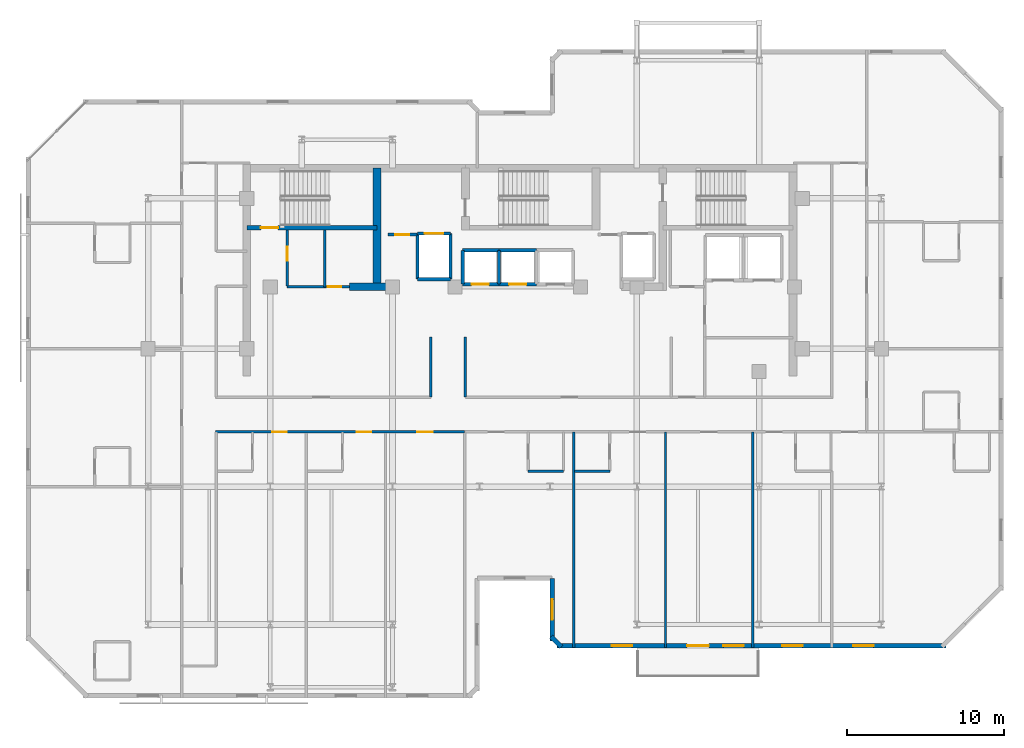
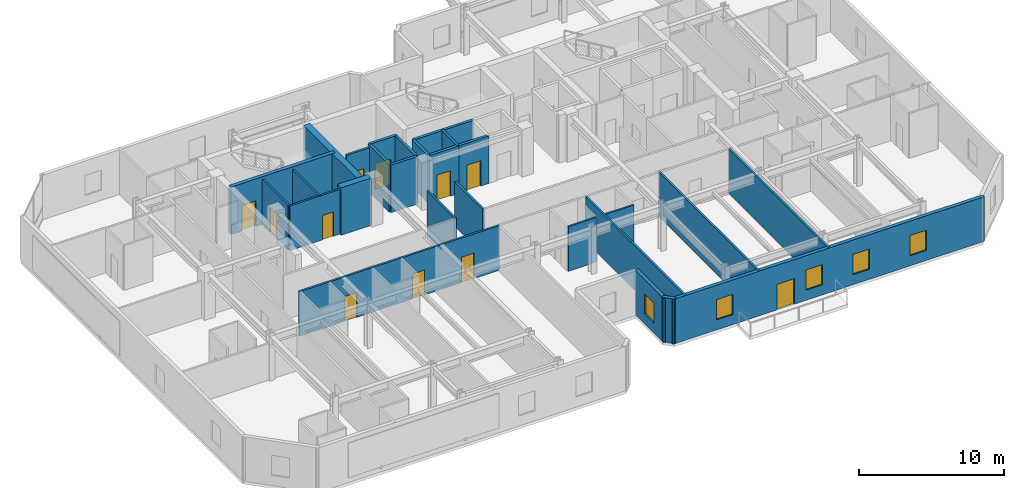
# One storey, part 5 of 10: 28 walls, 11 doors, 5 windows, 16 openings.
"""IFC4 building model written with IfcOpenShell, lengths in metres."""

import ifcopenshell
import ifcopenshell.guid

model = None  # the IFC model being written
_history = None  # IfcOwnerHistory: only IFC2X3 demands one
_inside = {}  # id of a spatial element -> (the spatial element, [elements in it])
_under = {}  # id of a project, library or spatial element -> (it, [spatial elements below it])
_declared = {}  # id of a project -> (the project, [libraries it declares])
_typed = {}  # id of a type object -> (the type object, [elements of that type])
_made_of = {}  # id of a material, layer set ... -> (it, [elements and type objects made of it])


def new_model(schema):
    """Start an empty IFC model of exactly this schema.

    Asked for "IFC4X3", IfcOpenShell would pick the latest addendum, in which some entities
    have other attributes; the version numbers below select the first issue.
    IFC2X3 requires an IfcOwnerHistory on every rooted entity: one is made here for all.
    """
    global model, _history
    if schema == "IFC4X3":
        model = ifcopenshell.file(schema_version=(4, 3, 0, 0))
    else:
        model = ifcopenshell.file(schema=schema)
    _inside.clear()
    _under.clear()
    _declared.clear()
    _typed.clear()
    _made_of.clear()
    _history = None
    if model.schema == "IFC2X3":
        org = make("IfcOrganization", Name="unknown")
        user = make(
            "IfcPersonAndOrganization",
            ThePerson=make("IfcPerson", FamilyName="unknown"),
            TheOrganization=org,
        )
        app = make(
            "IfcApplication",
            ApplicationDeveloper=org,
            Version="unknown",
            ApplicationFullName="unknown",
            ApplicationIdentifier="unknown",
        )
        _history = make(
            "IfcOwnerHistory",
            OwningUser=user,
            OwningApplication=app,
            ChangeAction="ADDED",
            CreationDate=0,
        )
    return model


def make(cls, **values):
    """One entity of the class cls with the attributes given. An attribute that is None is left unset."""
    return model.create_entity(
        cls, **{name: value for name, value in values.items() if value is not None}
    )


def rooted(cls, **values):
    """An entity with a GlobalId (a new one), such as an element, a storey or a relation."""
    return make(cls, GlobalId=ifcopenshell.guid.new(), OwnerHistory=_history, **values)


def si_unit(unit_type, name, prefix=None):
    """IfcSIUnit, for example si_unit("LENGTHUNIT", "METRE", prefix="MILLI")."""
    return make("IfcSIUnit", UnitType=unit_type, Prefix=prefix, Name=name)


def assignment(units):
    """IfcUnitAssignment: the units of a project."""
    return None if units is None else make("IfcUnitAssignment", Units=units)


def point(xyz):
    """IfcCartesianPoint."""
    return None if xyz is None else make("IfcCartesianPoint", Coordinates=xyz)


def direction(xyz):
    """IfcDirection."""
    return None if xyz is None else make("IfcDirection", DirectionRatios=xyz)


def frame(location, z_axis=None, x_axis=None):
    """IfcAxis2Placement3D, a coordinate frame: its origin and axes. An axis left out is left unset."""
    return make(
        "IfcAxis2Placement3D",
        Location=point(location),
        Axis=direction(z_axis),
        RefDirection=direction(x_axis),
    )


def frame_2d(location, x_axis=None):
    """IfcAxis2Placement2D, a coordinate frame in the plane: its origin and x axis."""
    return make(
        "IfcAxis2Placement2D", Location=point(location), RefDirection=direction(x_axis)
    )


def origin():
    """The frame at (0, 0, 0) with its axes left unset."""
    return frame((0.0, 0.0, 0.0))


def place(relative_to, where):
    """IfcLocalPlacement: puts the frame where relative to a parent placement (None: the world)."""
    return make(
        "IfcLocalPlacement", PlacementRelTo=relative_to, RelativePlacement=where
    )


def context(
    kind, dimensions, precision=None, world=None, true_north=None, identifier=None
):
    """IfcGeometricRepresentationContext, for example the 3D "Model" context."""
    return make(
        "IfcGeometricRepresentationContext",
        ContextIdentifier=identifier,
        ContextType=kind,
        CoordinateSpaceDimension=dimensions,
        Precision=precision,
        WorldCoordinateSystem=world,
        TrueNorth=true_north,
    )


def subcontext(parent, identifier, kind, view, scale=None):
    """IfcGeometricRepresentationSubContext, for example "Body" below "Model"."""
    return make(
        "IfcGeometricRepresentationSubContext",
        ContextIdentifier=identifier,
        ContextType=kind,
        ParentContext=parent,
        TargetScale=scale,
        TargetView=view,
    )


def project(units=None, contexts=None):
    """IfcProject with its units and contexts."""
    return rooted(
        "IfcProject",
        Name="project",
        RepresentationContexts=contexts,
        UnitsInContext=assignment(units),
    )


def spatial(cls, under=None, at=None, **own):
    """A site, building, storey or space (cls), placed at a placement, below another one or the project."""
    s = rooted(cls, ObjectPlacement=at, **own)
    if under is not None:
        _under.setdefault(under.id(), (under, []))[1].append(s)
    return s


def profile(cls, at=None, kind="AREA", **sizes):
    """A parametric profile (cls). Its sizes go by their IFC names, for example OverallWidth=200.0."""
    return make(cls, ProfileType=kind, Position=at, **sizes)


def rectangle(**sizes):
    """IfcRectangleProfileDef."""
    return profile("IfcRectangleProfileDef", **sizes)


def extrude(swept, where, along, depth):
    """IfcExtrudedAreaSolid: the profile swept, set in the frame where, extruded along a direction by depth."""
    return make(
        "IfcExtrudedAreaSolid",
        SweptArea=swept,
        Position=where,
        ExtrudedDirection=direction(along),
        Depth=depth,
    )


def shape(context_of_items, identifier, shape_type, items):
    """IfcShapeRepresentation: the items that make up one representation, for example the "Body"."""
    return make(
        "IfcShapeRepresentation",
        ContextOfItems=context_of_items,
        RepresentationIdentifier=identifier,
        RepresentationType=shape_type,
        Items=items,
    )


def material(Name=None, Category=None):
    """IfcMaterial."""
    return make("IfcMaterial", Name=Name, Category=Category)


def layer(
    of_material, thickness, ventilated=None, Name=None, Category=None, Priority=None
):
    """IfcMaterialLayer: one layer of a wall or slab, of a material (None: an air gap)."""
    return make(
        "IfcMaterialLayer",
        Material=of_material,
        LayerThickness=thickness,
        IsVentilated=ventilated,
        Name=Name,
        Category=Category,
        Priority=Priority,
    )


def layer_set(layers, Name=None):
    """IfcMaterialLayerSet."""
    return make("IfcMaterialLayerSet", MaterialLayers=layers, LayerSetName=Name)


def made_of(thing, what):
    """Note that an element or type object is made of a material, layer set ...; save() writes the relation."""
    if what is not None:
        _made_of.setdefault(what.id(), (what, []))[1].append(thing)
    return thing


def type_object(cls, material=None, **own):
    """A type object (cls), such as IfcWallType, which elements share."""
    return made_of(rooted(cls, **own), material)


def element(
    cls,
    number,
    at=None,
    inside=None,
    cuts=None,
    type_object=None,
    material=None,
    context=None,
    identifier="Body",
    shape_type=None,
    held_by="IfcProductDefinitionShape",
    body=None,
    shapes=None,
    **own,
):
    """One element of the class cls, such as IfcWall. Its Tag is "e" and its number.

    at: its placement. inside: the storey or other place that contains it. cuts: it is an
    opening in that element (IfcRelVoidsElement). A single representation is given by context,
    identifier, shape_type and body (its items); several are given by shapes. held_by: the class
    of the entity that holds the representations. save() writes the other relations.
    """
    e = rooted(cls, Tag="e%d" % number, ObjectPlacement=at, **own)
    if body is not None:
        shapes = [shape(context, identifier, shape_type, body)]
    if shapes is not None:
        e.Representation = make(held_by, Representations=shapes)
    if inside is not None:
        _inside.setdefault(inside.id(), (inside, []))[1].append(e)
    if cuts is not None:
        rooted(
            "IfcRelVoidsElement", RelatingBuildingElement=cuts, RelatedOpeningElement=e
        )
    if type_object is not None:
        _typed.setdefault(type_object.id(), (type_object, []))[1].append(e)
    return made_of(e, material)


def fill(opening, filler):
    """IfcRelFillsElement: the door or window that sits in an opening."""
    return rooted(
        "IfcRelFillsElement",
        RelatingOpeningElement=opening,
        RelatedBuildingElement=filler,
    )


def aggregate(whole, parts):
    """IfcRelAggregates: a whole, such as a stair, and the parts it consists of."""
    return rooted("IfcRelAggregates", RelatingObject=whole, RelatedObjects=parts)


def save(model, path):
    """Write the relations noted so far, then the file.

    IfcRelAggregates (storeys below a building ...), IfcRelContainedInSpatialStructure (elements
    in a storey), IfcRelDefinesByType, IfcRelAssociatesMaterial and IfcRelDeclares: one each for
    every whole, place, type object, material and project.
    """
    for whole, parts in _under.values():
        aggregate(whole, parts)
    for where, things in _inside.values():
        rooted(
            "IfcRelContainedInSpatialStructure",
            RelatedElements=things,
            RelatingStructure=where,
        )
    for kind, things in _typed.values():
        rooted("IfcRelDefinesByType", RelatedObjects=things, RelatingType=kind)
    for what, things in _made_of.values():
        rooted("IfcRelAssociatesMaterial", RelatedObjects=things, RelatingMaterial=what)
    for by, libraries in _declared.values():
        rooted("IfcRelDeclares", RelatingContext=by, RelatedDefinitions=libraries)
    model.write(path)


model = new_model("IFC4")

# Units and contexts
model_context = context("Model", 3, precision=1e-05, world=origin(), true_north=direction((0.0, 1.0)))
body_context = subcontext(model_context, "Body", "Model", "MODEL_VIEW")
ifc_project = project(units=[si_unit("LENGTHUNIT", "METRE"), si_unit("AREAUNIT", "SQUARE_METRE"), si_unit("VOLUMEUNIT", "CUBIC_METRE"), si_unit("PLANEANGLEUNIT", "RADIAN"), si_unit("MASSUNIT", "GRAM", prefix="KILO")], contexts=[model_context])

# Site, building, storey
site_placement = place(None, origin())
site = spatial("IfcSite", under=ifc_project, at=site_placement, CompositionType="ELEMENT")
building_placement = place(site_placement, origin())
building = spatial("IfcBuilding", under=site, at=building_placement, Name="Kestravale Grand Hotel", CompositionType="ELEMENT")
storey_placement = place(building_placement, frame((0.0, 0.0, 253.39990234375)))
storey = spatial("IfcBuildingStorey", under=building, at=storey_placement, Name="L63", CompositionType="ELEMENT", Elevation=253.39990234375)

# Walls
ifc_material_1 = material(Name="Concrete f'c 50 MPa", Category="concrete")
ifc_layer_1 = layer(ifc_material_1, 0.5)
ifc_layer_set_1 = layer_set([ifc_layer_1], Name="EW-CORE-500")
wall_type_1 = type_object("IfcWallType", Name="EW-CORE-500", PredefinedType="SHEAR", material=ifc_layer_set_1)
wall_1_placement = place(storey_placement, frame((28.449951171875, 32.75, 0.0), z_axis=(0.0, 0.0, 1.0), x_axis=(1.0, 0.0, 0.0)))
element("IfcWall", 1, at=wall_1_placement, inside=storey, type_object=wall_type_1, Name="L63 core shear wall S1", PredefinedType="SHEAR", context=body_context, shape_type="SweptSolid", body=[
    extrude(rectangle(XDim=2.400146484375, YDim=0.5, at=frame_2d((1.2001953125, 0.0))), origin(), (0.0, 0.0, 1.0), 4.0),
])
wall_2_placement = place(storey_placement, frame((30.219970703125, 33.0, 0.0), z_axis=(0.0, 0.0, 1.0), x_axis=(0.0, 1.0, 0.0)))
element("IfcWall", 2, at=wall_2_placement, inside=storey, type_object=wall_type_1, Name="L63 core shear wall X1", PredefinedType="SHEAR", context=body_context, shape_type="SweptSolid", body=[
    extrude(rectangle(XDim=7.320068359375, YDim=0.5, at=frame_2d((3.66015625, 0.0))), origin(), (0.0, 0.0, 1.0), 4.0),
])

# Wall, opening, window
ifc_material_2 = material(Name="Precast concrete f'c 45 MPa", Category="concrete")
ifc_layer_2 = layer(ifc_material_2, 0.280029296875)
ifc_layer_set_2 = layer_set([ifc_layer_2], Name="EW-PREC-280")
wall_type_2 = type_object("IfcWallType", Name="EW-PREC-280", PredefinedType="SOLIDWALL", material=ifc_layer_set_2)
wall_3_placement = place(storey_placement, frame((41.389892578125, 14.139892578125, 0.0), z_axis=(0.0, 0.0, 1.0), x_axis=(0.0, -1.0, 0.0)))
wall_3 = element("IfcWall", 3, at=wall_3_placement, inside=storey, type_object=wall_type_2, Name="L63 fluted precast facade wall 5", PredefinedType="SOLIDWALL", context=body_context, shape_type="SweptSolid", body=[
    extrude(rectangle(XDim=3.97998046875, YDim=0.280029296875, at=frame_2d((1.989990234375, 0.0))), origin(), (0.0, 0.0, 1.0), 3.760009765625),
])
opening_1_placement = place(wall_3_placement, frame((1.340087890625, 0.0, 0.85009765625)))
opening_1 = element("IfcOpeningElement", 4, at=opening_1_placement, cuts=wall_3, Name="Opening W-GUEST-1300", PredefinedType="OPENING", context=body_context, shape_type="SweptSolid", body=[
    extrude(rectangle(XDim=1.300048828125, YDim=1.699951171875, at=frame_2d((0.64990234375, 0.85009765625))), frame((0.0, 0.14990234375, 0.0), z_axis=(0.0, -1.0, 0.0), x_axis=(1.0, 0.0, 0.0)), (0.0, 0.0, 1.0), 0.300048828125),
])
ifc_material_3 = material(Name="Insulated low-E double glazing in aluminium frame", Category="aluminium")
window_type = type_object("IfcWindowType", Name="W-GUEST-1300", PartitioningType="SINGLE_PANEL", PredefinedType="WINDOW", material=ifc_material_3)
window_1_placement = place(opening_1_placement, origin())
window_1 = element("IfcWindow", 5, at=window_1_placement, inside=storey, type_object=window_type, Name="L63 exterior window 5.1", OverallHeight=1.699951171875, OverallWidth=1.300048828125, PartitioningType="SINGLE_PANEL", PredefinedType="WINDOW", context=body_context, shape_type="SweptSolid", body=[
    extrude(rectangle(XDim=1.300048828125, YDim=1.699951171875, at=frame_2d((0.64990234375, 0.85009765625))), frame((0.0, 0.030029296875, 0.0), z_axis=(0.0, -1.0, 0.0), x_axis=(1.0, 0.0, 0.0)), (0.0, 0.0, 1.0), 0.06005859375),
])
fill(opening_1, window_1)

# Wall
wall_4_placement = place(storey_placement, frame((41.32080078125, 10.42724609375, 0.0), z_axis=(0.0, 0.0, 1.0), x_axis=(0.707106781187, -0.707106781187, 0.0)))
element("IfcWall", 6, at=wall_4_placement, inside=storey, type_object=wall_type_2, Name="L63 fluted precast facade wall 6", PredefinedType="SOLIDWALL", context=body_context, shape_type="SweptSolid", body=[
    extrude(rectangle(XDim=0.928466796875, YDim=0.280029296875, at=frame_2d((0.46435546875, 0.0))), origin(), (0.0, 0.0, 1.0), 3.760009765625),
])

# Wall, openings, door, windows
wall_5_placement = place(storey_placement, frame((41.7099609375, 9.840087890625, 0.0), z_axis=(0.0, 0.0, 1.0), x_axis=(1.0, 0.0, 0.0)))
wall_5 = element("IfcWall", 7, at=wall_5_placement, inside=storey, type_object=wall_type_2, Name="L63 fluted precast facade wall 7", PredefinedType="SOLIDWALL", context=body_context, shape_type="SweptSolid", body=[
    extrude(rectangle(XDim=24.830078125, YDim=0.280029296875, at=frame_2d((12.4150390625, 0.0))), origin(), (0.0, 0.0, 1.0), 3.760009765625),
])
opening_2_placement = place(wall_5_placement, frame((8.2900390625, 0.0, 0.0)))
opening_2 = element("IfcOpeningElement", 8, at=opening_2_placement, cuts=wall_5, Name="Opening D-TERR-1400", PredefinedType="OPENING", context=body_context, shape_type="SweptSolid", body=[
    extrude(rectangle(XDim=1.39990234375, YDim=2.14990234375, at=frame_2d((0.699951171875, 1.074951171875))), frame((0.0, 0.14990234375, 0.0), z_axis=(0.0, -1.0, 0.0), x_axis=(1.0, 0.0, 0.0)), (0.0, 0.0, 1.0), 0.300048828125),
])
opening_3_placement = place(wall_5_placement, frame((3.48828125, 0.0, 0.85009765625)))
opening_3 = element("IfcOpeningElement", 9, at=opening_3_placement, cuts=wall_5, Name="Opening W-GUEST-1300", PredefinedType="OPENING", context=body_context, shape_type="SweptSolid", body=[
    extrude(rectangle(XDim=1.300048828125, YDim=1.699951171875, at=frame_2d((0.64990234375, 0.85009765625))), frame((0.0, 0.14990234375, 0.0), z_axis=(0.0, -1.0, 0.0), x_axis=(1.0, 0.0, 0.0)), (0.0, 0.0, 1.0), 0.300048828125),
])
opening_4_placement = place(wall_5_placement, frame((10.614990234375, 0.0, 0.85009765625)))
opening_4 = element("IfcOpeningElement", 10, at=opening_4_placement, cuts=wall_5, Name="Opening W-GUEST-1300", PredefinedType="OPENING", context=body_context, shape_type="SweptSolid", body=[
    extrude(rectangle(XDim=1.300048828125, YDim=1.699951171875, at=frame_2d((0.64990234375, 0.85009765625))), frame((0.0, 0.14990234375, 0.0), z_axis=(0.0, -1.0, 0.0), x_axis=(1.0, 0.0, 0.0)), (0.0, 0.0, 1.0), 0.300048828125),
])
opening_5_placement = place(wall_5_placement, frame((18.8916015625, 0.0, 0.85009765625)))
opening_5 = element("IfcOpeningElement", 11, at=opening_5_placement, cuts=wall_5, Name="Opening W-GUEST-1300", PredefinedType="OPENING", context=body_context, shape_type="SweptSolid", body=[
    extrude(rectangle(XDim=1.300048828125, YDim=1.699951171875, at=frame_2d((0.64990234375, 0.85009765625))), frame((0.0, 0.14990234375, 0.0), z_axis=(0.0, -1.0, 0.0), x_axis=(1.0, 0.0, 0.0)), (0.0, 0.0, 1.0), 0.300048828125),
])
opening_6_placement = place(wall_5_placement, frame((14.364990234375, 0.0, 0.85009765625)))
opening_6 = element("IfcOpeningElement", 12, at=opening_6_placement, cuts=wall_5, Name="Opening W-GUEST-1300", PredefinedType="OPENING", context=body_context, shape_type="SweptSolid", body=[
    extrude(rectangle(XDim=1.300048828125, YDim=1.699951171875, at=frame_2d((0.64990234375, 0.85009765625))), frame((0.0, 0.14990234375, 0.0), z_axis=(0.0, -1.0, 0.0), x_axis=(1.0, 0.0, 0.0)), (0.0, 0.0, 1.0), 0.300048828125),
])
ifc_material_4 = material(Name="Insulated glazed champagne-bronze aluminium door", Category="aluminium")
door_type_1 = type_object("IfcDoorType", Name="D-TERR-1400", OperationType="NOTDEFINED", PredefinedType="DOOR", material=ifc_material_4)
door_1_placement = place(opening_2_placement, origin())
door_1 = element("IfcDoor", 13, at=door_1_placement, inside=storey, type_object=door_type_1, Name="L63 outdoor garden terrace door", OperationType="DOUBLE_DOOR_SINGLE_SWING", OverallHeight=2.14990234375, OverallWidth=1.39990234375, PredefinedType="DOOR", context=body_context, shape_type="SweptSolid", body=[
    extrude(rectangle(XDim=1.39990234375, YDim=2.14990234375, at=frame_2d((0.699951171875, 1.074951171875))), frame((0.0, 0.02490234375, 0.0), z_axis=(0.0, -1.0, 0.0), x_axis=(1.0, 0.0, 0.0)), (0.0, 0.0, 1.0), 0.050048828125),
])
fill(opening_2, door_1)
window_2_placement = place(opening_3_placement, origin())
window_2 = element("IfcWindow", 14, at=window_2_placement, inside=storey, type_object=window_type, Name="L63 exterior window 7.1", OverallHeight=1.699951171875, OverallWidth=1.300048828125, PartitioningType="SINGLE_PANEL", PredefinedType="WINDOW", context=body_context, shape_type="SweptSolid", body=[
    extrude(rectangle(XDim=1.300048828125, YDim=1.699951171875, at=frame_2d((0.64990234375, 0.85009765625))), frame((0.0, 0.030029296875, 0.0), z_axis=(0.0, -1.0, 0.0), x_axis=(1.0, 0.0, 0.0)), (0.0, 0.0, 1.0), 0.06005859375),
])
fill(opening_3, window_2)
window_3_placement = place(opening_4_placement, origin())
window_3 = element("IfcWindow", 15, at=window_3_placement, inside=storey, type_object=window_type, Name="L63 exterior window 7.2", OverallHeight=1.699951171875, OverallWidth=1.300048828125, PartitioningType="SINGLE_PANEL", PredefinedType="WINDOW", context=body_context, shape_type="SweptSolid", body=[
    extrude(rectangle(XDim=1.300048828125, YDim=1.699951171875, at=frame_2d((0.64990234375, 0.85009765625))), frame((0.0, 0.030029296875, 0.0), z_axis=(0.0, -1.0, 0.0), x_axis=(1.0, 0.0, 0.0)), (0.0, 0.0, 1.0), 0.06005859375),
])
fill(opening_4, window_3)
window_4_placement = place(opening_5_placement, origin())
window_4 = element("IfcWindow", 16, at=window_4_placement, inside=storey, type_object=window_type, Name="L63 exterior window 7.3", OverallHeight=1.699951171875, OverallWidth=1.300048828125, PartitioningType="SINGLE_PANEL", PredefinedType="WINDOW", context=body_context, shape_type="SweptSolid", body=[
    extrude(rectangle(XDim=1.300048828125, YDim=1.699951171875, at=frame_2d((0.64990234375, 0.85009765625))), frame((0.0, 0.030029296875, 0.0), z_axis=(0.0, -1.0, 0.0), x_axis=(1.0, 0.0, 0.0)), (0.0, 0.0, 1.0), 0.06005859375),
])
fill(opening_5, window_4)
window_5_placement = place(opening_6_placement, origin())
window_5 = element("IfcWindow", 17, at=window_5_placement, inside=storey, type_object=window_type, Name="L63 guestroom envelope window 3", OverallHeight=1.699951171875, OverallWidth=1.300048828125, PartitioningType="SINGLE_PANEL", PredefinedType="WINDOW", context=body_context, shape_type="SweptSolid", body=[
    extrude(rectangle(XDim=1.300048828125, YDim=1.699951171875, at=frame_2d((0.64990234375, 0.85009765625))), frame((0.0, 0.030029296875, 0.0), z_axis=(0.0, -1.0, 0.0), x_axis=(1.0, 0.0, 0.0)), (0.0, 0.0, 1.0), 0.06005859375),
])
fill(opening_6, window_5)

# Wall, opening, door
ifc_material_5 = material(Name="Concrete f'c 45 MPa", Category="concrete")
ifc_layer_3 = layer(ifc_material_5, 0.300048828125)
ifc_layer_set_3 = layer_set([ifc_layer_3], Name="EW-STAIR-300")
wall_type_3 = type_object("IfcWallType", Name="EW-STAIR-300", PredefinedType="SHEAR", material=ifc_layer_set_3)
wall_6_placement = place(storey_placement, frame((21.89990234375, 36.52001953125, 0.0), z_axis=(0.0, 0.0, 1.0), x_axis=(1.0, 0.0, 0.0)))
wall_6 = element("IfcWall", 18, at=wall_6_placement, inside=storey, type_object=wall_type_3, Name="L63 stair enclosure shear wall SST1", PredefinedType="SHEAR", context=body_context, shape_type="SweptSolid", body=[
    extrude(rectangle(XDim=8.320068359375, YDim=0.300048828125, at=frame_2d((4.16015625, 0.0))), origin(), (0.0, 0.0, 1.0), 4.0),
])
opening_7_placement = place(wall_6_placement, frame((0.89990234375, 0.0, 0.0)))
opening_7 = element("IfcOpeningElement", 19, at=opening_7_placement, cuts=wall_6, Name="Opening D-ST-1100", PredefinedType="OPENING", context=body_context, shape_type="SweptSolid", body=[
    extrude(rectangle(XDim=1.10009765625, YDim=2.14990234375, at=frame_2d((0.550048828125, 1.074951171875))), frame((0.0, 0.159912109375, 0.0), z_axis=(0.0, -1.0, 0.0), x_axis=(1.0, 0.0, 0.0)), (0.0, 0.0, 1.0), 0.320068359375),
])
ifc_material_6 = material(Name="Galvanised 90-minute fire-rated steel stair door", Category="steel")
door_type_2 = type_object("IfcDoorType", Name="D-ST-1100", OperationType="NOTDEFINED", PredefinedType="DOOR", material=ifc_material_6)
door_2_placement = place(opening_7_placement, origin())
door_2 = element("IfcDoor", 20, at=door_2_placement, inside=storey, type_object=door_type_2, Name="L63 Stair ST-1 fire door", OperationType="SINGLE_SWING_RIGHT", OverallHeight=2.14990234375, OverallWidth=1.10009765625, PredefinedType="DOOR", context=body_context, shape_type="SweptSolid", body=[
    extrude(rectangle(XDim=1.10009765625, YDim=2.14990234375, at=frame_2d((0.550048828125, 1.074951171875))), frame((0.0, 0.02490234375, 0.0), z_axis=(0.0, -1.0, 0.0), x_axis=(1.0, 0.0, 0.0)), (0.0, 0.0, 1.0), 0.050048828125),
])
fill(opening_7, door_2)

ifc_material_7 = material(Name="Acoustic fire-rated gypsum board partition", Category="other")
ifc_layer_4 = layer(ifc_material_7, 0.159912109375)
ifc_layer_set_4 = layer_set([ifc_layer_4], Name="IW-CORR-160")
wall_type_4 = type_object("IfcWallType", Name="IW-CORR-160", PredefinedType="PARTITIONING", material=ifc_layer_set_4)
wall_7_placement = place(storey_placement, frame((24.47998046875, 32.800048828125, 0.0), z_axis=(0.0, 0.0, 1.0), x_axis=(0.0, 1.0, 0.0)))
wall_7 = element("IfcWall", 21, at=wall_7_placement, inside=storey, type_object=wall_type_4, Name="L63 west core vestibule wall", PredefinedType="PARTITIONING", context=body_context, shape_type="SweptSolid", body=[
    extrude(rectangle(XDim=3.570068359375, YDim=0.159912109375, at=frame_2d((1.78515625, 0.0))), origin(), (0.0, 0.0, 1.0), 3.760009765625),
])
opening_8_placement = place(wall_7_placement, frame((1.603515625, 0.0, 0.0)))
opening_8 = element("IfcOpeningElement", 22, at=opening_8_placement, cuts=wall_7, Name="Opening D-SH-900", PredefinedType="OPENING", context=body_context, shape_type="SweptSolid", body=[
    extrude(rectangle(XDim=0.89990234375, YDim=2.10009765625, at=frame_2d((0.449951171875, 1.050048828125))), frame((0.0, 0.08984375, 0.0), z_axis=(0.0, -1.0, 0.0), x_axis=(1.0, 0.0, 0.0)), (0.0, 0.0, 1.0), 0.179931640625),
])
ifc_material_8 = material(Name="Galvanised 90-minute shaft and service fire door", Category="steel")
door_type_3 = type_object("IfcDoorType", Name="D-SH-900", OperationType="NOTDEFINED", PredefinedType="DOOR", material=ifc_material_8)
door_3_placement = place(opening_8_placement, origin())
door_3 = element("IfcDoor", 23, at=door_3_placement, inside=storey, type_object=door_type_3, Name="D-L63-HK", OperationType="SINGLE_SWING_RIGHT", OverallHeight=2.10009765625, OverallWidth=0.89990234375, PredefinedType="DOOR", context=body_context, shape_type="SweptSolid", body=[
    extrude(rectangle(XDim=0.89990234375, YDim=2.10009765625, at=frame_2d((0.449951171875, 1.050048828125))), frame((0.0, 0.02490234375, 0.0), z_axis=(0.0, -1.0, 0.0), x_axis=(1.0, 0.0, 0.0)), (0.0, 0.0, 1.0), 0.050048828125),
])
fill(opening_8, door_3)

wall_8_placement = place(storey_placement, frame((24.47998046875, 32.75, 0.0), z_axis=(0.0, 0.0, 1.0), x_axis=(1.0, 0.0, 0.0)))
wall_8 = element("IfcWall", 24, at=wall_8_placement, inside=storey, type_object=wall_type_4, Name="W-L63-CWS", PredefinedType="PARTITIONING", context=body_context, shape_type="SweptSolid", body=[
    extrude(rectangle(XDim=3.969970703125, YDim=0.159912109375, at=frame_2d((1.98486328125, 0.0))), origin(), (0.0, 0.0, 1.0), 3.760009765625),
])
opening_9_placement = place(wall_8_placement, frame((2.5849609375, 0.0, 0.0)))
opening_9 = element("IfcOpeningElement", 25, at=opening_9_placement, cuts=wall_8, Name="Opening D-SH-860", PredefinedType="OPENING", context=body_context, shape_type="SweptSolid", body=[
    extrude(rectangle(XDim=0.860107421875, YDim=2.050048828125, at=frame_2d((0.43017578125, 1.02490234375))), frame((0.0, 0.08984375, 0.0), z_axis=(0.0, -1.0, 0.0), x_axis=(1.0, 0.0, 0.0)), (0.0, 0.0, 1.0), 0.179931640625),
])
ifc_material_9 = material(Name="Galvanised 90-minute riser fire door", Category="steel")
door_type_4 = type_object("IfcDoorType", Name="D-SH-860", OperationType="NOTDEFINED", PredefinedType="DOOR", material=ifc_material_9)
door_4_placement = place(opening_9_placement, origin())
door_4 = element("IfcDoor", 26, at=door_4_placement, inside=storey, type_object=door_type_4, Name="D-L63-ELEC", OperationType="SINGLE_SWING_RIGHT", OverallHeight=2.050048828125, OverallWidth=0.860107421875, PredefinedType="DOOR", context=body_context, shape_type="SweptSolid", body=[
    extrude(rectangle(XDim=0.860107421875, YDim=2.050048828125, at=frame_2d((0.43017578125, 1.02490234375))), frame((0.0, 0.02490234375, 0.0), z_axis=(0.0, -1.0, 0.0), x_axis=(1.0, 0.0, 0.0)), (0.0, 0.0, 1.0), 0.050048828125),
])
fill(opening_9, door_4)

# Walls
for number, where, z_axis, x_axis, name in (
    (27, (33.64990234375, 25.7099609375, 0.0), (0.0, 0.0, 1.0), (0.0, 1.0, 0.0), "W-L63-TRUNK-W"),
    (28, (35.85009765625, 25.7099609375, 0.0), (0.0, 0.0, 1.0), (0.0, 1.0, 0.0), "W-L63-TRUNK-E"),
):
    element("IfcWall", number, at=place(storey_placement, frame(where, z_axis=z_axis, x_axis=x_axis)), inside=storey, type_object=wall_type_4, Name=name, PredefinedType="PARTITIONING", context=body_context, shape_type="SweptSolid", body=[
        extrude(rectangle(XDim=3.840087890625, YDim=0.159912109375, at=frame_2d((1.919921875, 0.0))), origin(), (0.0, 0.0, 1.0), 3.760009765625),
    ])

# Wall, openings, doors
wall_9_placement = place(storey_placement, frame((19.89990234375, 23.489990234375, 0.0), z_axis=(0.0, 0.0, 1.0), x_axis=(1.0, 0.0, 0.0)))
wall_9 = element("IfcWall", 29, at=wall_9_placement, inside=storey, type_object=wall_type_4, Name="W-L63-CW-S", PredefinedType="PARTITIONING", context=body_context, shape_type="SweptSolid", body=[
    extrude(rectangle(XDim=15.900146484375, YDim=0.159912109375, at=frame_2d((7.9501953125, 0.0))), origin(), (0.0, 0.0, 1.0), 3.760009765625),
])
opening_10_placement = place(wall_9_placement, frame((3.610107421875, 0.0, 0.0)))
opening_10 = element("IfcOpeningElement", 30, at=opening_10_placement, cuts=wall_9, Name="Opening D-GUEST-950", PredefinedType="OPENING", context=body_context, shape_type="SweptSolid", body=[
    extrude(rectangle(XDim=0.949951171875, YDim=2.10009765625, at=frame_2d((0.47509765625, 1.050048828125))), frame((0.0, 0.08984375, 0.0), z_axis=(0.0, -1.0, 0.0), x_axis=(1.0, 0.0, 0.0)), (0.0, 0.0, 1.0), 0.179931640625),
])
opening_11_placement = place(wall_9_placement, frame((9.0048828125, 0.0, 0.0)))
opening_11 = element("IfcOpeningElement", 31, at=opening_11_placement, cuts=wall_9, Name="Opening D-GUEST-950", PredefinedType="OPENING", context=body_context, shape_type="SweptSolid", body=[
    extrude(rectangle(XDim=0.949951171875, YDim=2.10009765625, at=frame_2d((0.47509765625, 1.050048828125))), frame((0.0, 0.08984375, 0.0), z_axis=(0.0, -1.0, 0.0), x_axis=(1.0, 0.0, 0.0)), (0.0, 0.0, 1.0), 0.179931640625),
])
opening_12_placement = place(wall_9_placement, frame((12.875, 0.0, 0.0)))
opening_12 = element("IfcOpeningElement", 32, at=opening_12_placement, cuts=wall_9, Name="Opening D-GUEST-1000", PredefinedType="OPENING", context=body_context, shape_type="SweptSolid", body=[
    extrude(rectangle(XDim=1.0, YDim=2.14990234375, at=frame_2d((0.5, 1.074951171875))), frame((0.0, 0.08984375, 0.0), z_axis=(0.0, -1.0, 0.0), x_axis=(1.0, 0.0, 0.0)), (0.0, 0.0, 1.0), 0.179931640625),
])
ifc_material_10 = material(Name="Accessible walnut veneer hotel entrance fire door", Category="wood")
door_type_5 = type_object("IfcDoorType", Name="D-GUEST-1000", OperationType="NOTDEFINED", PredefinedType="DOOR", material=ifc_material_10)
door_5_placement = place(opening_12_placement, origin())
door_5 = element("IfcDoor", 33, at=door_5_placement, inside=storey, type_object=door_type_5, Name="D-L63-AMW", OperationType="SINGLE_SWING_RIGHT", OverallHeight=2.14990234375, OverallWidth=1.0, PredefinedType="DOOR", context=body_context, shape_type="SweptSolid", body=[
    extrude(rectangle(XDim=1.0, YDim=2.14990234375, at=frame_2d((0.5, 1.074951171875))), frame((0.0, 0.02490234375, 0.0), z_axis=(0.0, -1.0, 0.0), x_axis=(1.0, 0.0, 0.0)), (0.0, 0.0, 1.0), 0.050048828125),
])
fill(opening_12, door_5)
ifc_material_11 = material(Name="Walnut veneer hotel guestroom entrance fire door", Category="wood")
door_type_6 = type_object("IfcDoorType", Name="D-GUEST-950", OperationType="NOTDEFINED", PredefinedType="DOOR", material=ifc_material_11)
door_6_placement = place(opening_10_placement, origin())
door_6 = element("IfcDoor", 34, at=door_6_placement, inside=storey, type_object=door_type_6, Name="D-L63-U01-ENT", OperationType="SINGLE_SWING_LEFT", OverallHeight=2.10009765625, OverallWidth=0.949951171875, PredefinedType="DOOR", context=body_context, shape_type="SweptSolid", body=[
    extrude(rectangle(XDim=0.949951171875, YDim=2.10009765625, at=frame_2d((0.47509765625, 1.050048828125))), frame((0.0, 0.02490234375, 0.0), z_axis=(0.0, -1.0, 0.0), x_axis=(1.0, 0.0, 0.0)), (0.0, 0.0, 1.0), 0.050048828125),
])
fill(opening_10, door_6)
door_7_placement = place(opening_11_placement, origin())
door_7 = element("IfcDoor", 35, at=door_7_placement, inside=storey, type_object=door_type_6, Name="D-L63-U02-ENT", OperationType="SINGLE_SWING_LEFT", OverallHeight=2.10009765625, OverallWidth=0.949951171875, PredefinedType="DOOR", context=body_context, shape_type="SweptSolid", body=[
    extrude(rectangle(XDim=0.949951171875, YDim=2.10009765625, at=frame_2d((0.47509765625, 1.050048828125))), frame((0.0, 0.02490234375, 0.0), z_axis=(0.0, -1.0, 0.0), x_axis=(1.0, 0.0, 0.0)), (0.0, 0.0, 1.0), 0.050048828125),
])
fill(opening_11, door_7)

# Wall, opening, door
ifc_material_12 = material(Name="Fire-rated gypsum board on steel studs with mineral wool", Category="steel")
ifc_layer_5 = layer(ifc_material_12, 0.179931640625)
ifc_layer_set_5 = layer_set([ifc_layer_5], Name="IW-FSAE-180")
wall_type_5 = type_object("IfcWallType", Name="IW-FSAE-180", PredefinedType="PARTITIONING", material=ifc_layer_set_5)
wall_10_placement = place(storey_placement, frame((30.89990234375, 36.080078125, 0.0), z_axis=(0.0, 0.0, 1.0), x_axis=(1.0, 0.0, 0.0)))
wall_10 = element("IfcWall", 36, at=wall_10_placement, inside=storey, type_object=wall_type_5, Name="L63 FSAE Lobby 1 smoke barrier", PredefinedType="PARTITIONING", context=body_context, shape_type="SweptSolid", body=[
    extrude(rectangle(XDim=1.85009765625, YDim=0.179931640625, at=frame_2d((0.925048828125, 0.0))), origin(), (0.0, 0.0, 1.0), 3.760009765625),
])
opening_13_placement = place(wall_10_placement, frame((0.47998046875, 0.0, 0.0)))
opening_13 = element("IfcOpeningElement", 37, at=opening_13_placement, cuts=wall_10, Name="Opening D-FSAE-1000", PredefinedType="OPENING", context=body_context, shape_type="SweptSolid", body=[
    extrude(rectangle(XDim=0.89990234375, YDim=2.14990234375, at=frame_2d((0.449951171875, 1.074951171875))), frame((0.0, 0.099853515625, 0.0), z_axis=(0.0, -1.0, 0.0), x_axis=(1.0, 0.0, 0.0)), (0.0, 0.0, 1.0), 0.199951171875),
])
ifc_material_13 = material(Name="Smoke-gasketed FSAE lobby fire door", Category="steel")
door_type_7 = type_object("IfcDoorType", Name="D-FSAE-1000", OperationType="NOTDEFINED", PredefinedType="DOOR", material=ifc_material_13)
door_8_placement = place(opening_13_placement, origin())
door_8 = element("IfcDoor", 38, at=door_8_placement, inside=storey, type_object=door_type_7, Name="L63 FSAE Lobby 1 fire door", OperationType="SINGLE_SWING_RIGHT", OverallHeight=2.14990234375, OverallWidth=0.89990234375, PredefinedType="DOOR", context=body_context, shape_type="SweptSolid", body=[
    extrude(rectangle(XDim=0.89990234375, YDim=2.14990234375, at=frame_2d((0.449951171875, 1.074951171875))), frame((0.0, 0.02490234375, 0.0), z_axis=(0.0, -1.0, 0.0), x_axis=(1.0, 0.0, 0.0)), (0.0, 0.0, 1.0), 0.050048828125),
])
fill(opening_13, door_8)

# Walls
ifc_material_14 = material(Name="Moisture-resistant tile-backer plumbing chase wall", Category="other")
ifc_layer_6 = layer(ifc_material_14, 0.139892578125)
ifc_layer_set_6 = layer_set([ifc_layer_6], Name="IW-PLB-140")
wall_type_6 = type_object("IfcWallType", Name="IW-PLB-140", PredefinedType="PLUMBINGWALL", material=ifc_layer_set_6)
for number, where, z_axis, x_axis, name in (
    (39, (39.860107421875, 20.97998046875, 0.0), (0.0, 0.0, 1.0), (1.0, 0.0, 0.0), "W-L63-U03-BS"),
    (40, (42.820068359375, 20.97998046875, 0.0), (0.0, 0.0, 1.0), (1.0, 0.0, 0.0), "W-L63-U04-BS"),
):
    element("IfcWall", number, at=place(storey_placement, frame(where, z_axis=z_axis, x_axis=x_axis)), inside=storey, type_object=wall_type_6, Name=name, PredefinedType="PLUMBINGWALL", context=body_context, shape_type="SweptSolid", body=[
        extrude(rectangle(XDim=2.25, YDim=0.139892578125, at=frame_2d((1.125, 0.0))), origin(), (0.0, 0.0, 1.0), 3.760009765625),
    ])
ifc_material_15 = material(Name="Concrete f'c 45 MPa", Category="concrete")
ifc_layer_7 = layer(ifc_material_15, 0.199951171875)
ifc_layer_set_7 = layer_set([ifc_layer_7], Name="IW-SHAFT-200")
wall_type_7 = type_object("IfcWallType", Name="IW-SHAFT-200", PredefinedType="SHEAR", material=ifc_layer_set_7)
for number, where, z_axis, x_axis, name in (
    (41, (35.679931640625, 32.919921875, 0.0), (0.0, 0.0, 1.0), (0.0, 1.0, 0.0), "L63 PL-X1 west shaft wall"),
    (42, (38.0, 32.919921875, 0.0), (0.0, 0.0, 1.0), (0.0, 1.0, 0.0), "L63 PL-X2 west shaft wall"),
):
    element("IfcWall", number, at=place(storey_placement, frame(where, z_axis=z_axis, x_axis=x_axis)), inside=storey, type_object=wall_type_7, Name=name, PredefinedType="SHEAR", context=body_context, shape_type="SweptSolid", body=[
        extrude(rectangle(XDim=2.16015625, YDim=0.199951171875, at=frame_2d((1.080078125, 0.0))), origin(), (0.0, 0.0, 1.0), 4.0),
    ])
for number, where, z_axis, x_axis, name in (
    (43, (32.804931640625, 33.2451171875, 0.0), (0.0, 0.0, 1.0), (0.0, 1.0, 0.0), "L63 FL-1 west shaft wall"),
    (44, (34.89501953125, 33.2451171875, 0.0), (0.0, 0.0, 1.0), (0.0, 1.0, 0.0), "L63 FL-1 east shaft wall"),
):
    element("IfcWall", number, at=place(storey_placement, frame(where, z_axis=z_axis, x_axis=x_axis)), inside=storey, type_object=wall_type_7, Name=name, PredefinedType="SHEAR", context=body_context, shape_type="SweptSolid", body=[
        extrude(rectangle(XDim=2.909912109375, YDim=0.199951171875, at=frame_2d((1.455078125, 0.0))), origin(), (0.0, 0.0, 1.0), 4.0),
    ])
ifc_material_16 = material(Name="Concrete f'c 45 MPa", Category="concrete")
ifc_layer_8 = layer(ifc_material_16, 0.219970703125)
ifc_layer_set_8 = layer_set([ifc_layer_8], Name="IW-SHAFT-220")
wall_type_8 = type_object("IfcWallType", Name="IW-SHAFT-220", PredefinedType="SHEAR", material=ifc_layer_set_8)
wall_11_placement = place(storey_placement, frame((35.679931640625, 35.080078125, 0.0), z_axis=(0.0, 0.0, 1.0), x_axis=(1.0, 0.0, 0.0)))
element("IfcWall", 45, at=wall_11_placement, inside=storey, type_object=wall_type_8, Name="L63 PL-X1 north shaft wall", PredefinedType="SHEAR", context=body_context, shape_type="SweptSolid", body=[
    extrude(rectangle(XDim=2.320068359375, YDim=0.219970703125, at=frame_2d((1.16015625, 0.0))), origin(), (0.0, 0.0, 1.0), 4.0),
])

# Wall, opening, door
wall_12_placement = place(storey_placement, frame((35.679931640625, 32.919921875, 0.0), z_axis=(0.0, 0.0, 1.0), x_axis=(1.0, 0.0, 0.0)))
wall_12 = element("IfcWall", 46, at=wall_12_placement, inside=storey, type_object=wall_type_8, Name="L63 PL-X1 south shaft wall", PredefinedType="SHEAR", context=body_context, shape_type="SweptSolid", body=[
    extrude(rectangle(XDim=2.320068359375, YDim=0.219970703125, at=frame_2d((1.16015625, 0.0))), origin(), (0.0, 0.0, 1.0), 4.0),
])
opening_14_placement = place(wall_12_placement, frame((0.570068359375, 0.0, 0.0)))
opening_14 = element("IfcOpeningElement", 47, at=opening_14_placement, cuts=wall_12, Name="Opening LD-PAX-1100", PredefinedType="OPENING", context=body_context, shape_type="SweptSolid", body=[
    extrude(rectangle(XDim=1.10009765625, YDim=2.14990234375, at=frame_2d((0.550048828125, 1.074951171875))), frame((0.0, 0.119873046875, 0.0), z_axis=(0.0, -1.0, 0.0), x_axis=(1.0, 0.0, 0.0)), (0.0, 0.0, 1.0), 0.239990234375),
])
ifc_material_17 = material(Name="Champagne-bronze center-opening sliding elevator landing door", Category="steel")
door_type_8 = type_object("IfcDoorType", Name="LD-PAX-1100", OperationType="NOTDEFINED", PredefinedType="DOOR", material=ifc_material_17)
door_9_placement = place(opening_14_placement, origin())
door_9 = element("IfcDoor", 48, at=door_9_placement, inside=storey, type_object=door_type_8, Name="L63 PL-X1 elevator landing sliding door", OperationType="DOUBLE_DOOR_SLIDING", OverallHeight=2.14990234375, OverallWidth=1.10009765625, PredefinedType="DOOR", context=body_context, shape_type="SweptSolid", body=[
    extrude(rectangle(XDim=1.10009765625, YDim=2.14990234375, at=frame_2d((0.550048828125, 1.074951171875))), frame((0.0, 0.02490234375, 0.0), z_axis=(0.0, -1.0, 0.0), x_axis=(1.0, 0.0, 0.0)), (0.0, 0.0, 1.0), 0.050048828125),
])
fill(opening_14, door_9)

# Wall
wall_13_placement = place(storey_placement, frame((38.0, 35.080078125, 0.0), z_axis=(0.0, 0.0, 1.0), x_axis=(1.0, 0.0, 0.0)))
element("IfcWall", 49, at=wall_13_placement, inside=storey, type_object=wall_type_8, Name="L63 PL-X2 north shaft wall", PredefinedType="SHEAR", context=body_context, shape_type="SweptSolid", body=[
    extrude(rectangle(XDim=2.39990234375, YDim=0.219970703125, at=frame_2d((1.199951171875, 0.0))), origin(), (0.0, 0.0, 1.0), 4.0),
])

# Wall, opening, door
wall_14_placement = place(storey_placement, frame((38.0, 32.919921875, 0.0), z_axis=(0.0, 0.0, 1.0), x_axis=(1.0, 0.0, 0.0)))
wall_14 = element("IfcWall", 50, at=wall_14_placement, inside=storey, type_object=wall_type_8, Name="L63 PL-X2 south shaft wall", PredefinedType="SHEAR", context=body_context, shape_type="SweptSolid", body=[
    extrude(rectangle(XDim=2.39990234375, YDim=0.219970703125, at=frame_2d((1.199951171875, 0.0))), origin(), (0.0, 0.0, 1.0), 4.0),
])
opening_15_placement = place(wall_14_placement, frame((0.64990234375, 0.0, 0.0)))
opening_15 = element("IfcOpeningElement", 51, at=opening_15_placement, cuts=wall_14, Name="Opening LD-PAX-1100", PredefinedType="OPENING", context=body_context, shape_type="SweptSolid", body=[
    extrude(rectangle(XDim=1.10009765625, YDim=2.14990234375, at=frame_2d((0.550048828125, 1.074951171875))), frame((0.0, 0.119873046875, 0.0), z_axis=(0.0, -1.0, 0.0), x_axis=(1.0, 0.0, 0.0)), (0.0, 0.0, 1.0), 0.239990234375),
])
door_10_placement = place(opening_15_placement, origin())
door_10 = element("IfcDoor", 52, at=door_10_placement, inside=storey, type_object=door_type_8, Name="L63 PL-X2 elevator landing sliding door", OperationType="DOUBLE_DOOR_SLIDING", OverallHeight=2.14990234375, OverallWidth=1.10009765625, PredefinedType="DOOR", context=body_context, shape_type="SweptSolid", body=[
    extrude(rectangle(XDim=1.10009765625, YDim=2.14990234375, at=frame_2d((0.550048828125, 1.074951171875))), frame((0.0, 0.02490234375, 0.0), z_axis=(0.0, -1.0, 0.0), x_axis=(1.0, 0.0, 0.0)), (0.0, 0.0, 1.0), 0.050048828125),
])
fill(opening_15, door_10)

wall_15_placement = place(storey_placement, frame((32.804931640625, 36.155029296875, 0.0), z_axis=(0.0, 0.0, 1.0), x_axis=(1.0, 0.0, 0.0)))
wall_15 = element("IfcWall", 53, at=wall_15_placement, inside=storey, type_object=wall_type_8, Name="L63 FL-1 north shaft wall", PredefinedType="SHEAR", context=body_context, shape_type="SweptSolid", body=[
    extrude(rectangle(XDim=2.090087890625, YDim=0.219970703125, at=frame_2d((1.044921875, 0.0))), origin(), (0.0, 0.0, 1.0), 4.0),
])
opening_16_placement = place(wall_15_placement, frame((0.445068359375, 0.0, 0.0)))
opening_16 = element("IfcOpeningElement", 54, at=opening_16_placement, cuts=wall_15, Name="Opening LD-FSAE-1200", PredefinedType="OPENING", context=body_context, shape_type="SweptSolid", body=[
    extrude(rectangle(XDim=1.199951171875, YDim=2.14990234375, at=frame_2d((0.60009765625, 1.074951171875))), frame((0.0, 0.119873046875, 0.0), z_axis=(0.0, -1.0, 0.0), x_axis=(1.0, 0.0, 0.0)), (0.0, 0.0, 1.0), 0.239990234375),
])
ifc_material_18 = material(Name="Stainless fire-service sliding elevator landing door", Category="steel")
door_type_9 = type_object("IfcDoorType", Name="LD-FSAE-1200", OperationType="NOTDEFINED", PredefinedType="DOOR", material=ifc_material_18)
door_11_placement = place(opening_16_placement, origin())
door_11 = element("IfcDoor", 55, at=door_11_placement, inside=storey, type_object=door_type_9, Name="L63 FL-1 elevator landing sliding door", OperationType="DOUBLE_DOOR_SLIDING", OverallHeight=2.14990234375, OverallWidth=1.199951171875, PredefinedType="DOOR", context=body_context, shape_type="SweptSolid", body=[
    extrude(rectangle(XDim=1.199951171875, YDim=2.14990234375, at=frame_2d((0.60009765625, 1.074951171875))), frame((0.0, 0.02490234375, 0.0), z_axis=(0.0, -1.0, 0.0), x_axis=(1.0, 0.0, 0.0)), (0.0, 0.0, 1.0), 0.050048828125),
])
fill(opening_16, door_11)

# Walls
wall_16_placement = place(storey_placement, frame((32.804931640625, 33.2451171875, 0.0), z_axis=(0.0, 0.0, 1.0), x_axis=(1.0, 0.0, 0.0)))
element("IfcWall", 56, at=wall_16_placement, inside=storey, type_object=wall_type_8, Name="L63 FL-1 south shaft wall", PredefinedType="SHEAR", context=body_context, shape_type="SweptSolid", body=[
    extrude(rectangle(XDim=2.090087890625, YDim=0.219970703125, at=frame_2d((1.044921875, 0.0))), origin(), (0.0, 0.0, 1.0), 4.0),
])
ifc_material_19 = material(Name="Double-stud STC 52 acoustic demising partition", Category="other")
ifc_layer_9 = layer(ifc_material_19, 0.14990234375)
ifc_layer_set_9 = layer_set([ifc_layer_9], Name="IW-UNIT-150")
wall_type_9 = type_object("IfcWallType", Name="IW-UNIT-150", PredefinedType="PARTITIONING", material=ifc_layer_set_9)
wall_17_placement = place(storey_placement, frame((26.8798828125, 32.75, 0.0), z_axis=(0.0, 0.0, 1.0), x_axis=(0.0, 1.0, 0.0)))
element("IfcWall", 57, at=wall_17_placement, inside=storey, type_object=wall_type_9, Name="W-L63-CC0-1", PredefinedType="PARTITIONING", context=body_context, shape_type="SweptSolid", body=[
    extrude(rectangle(XDim=3.6201171875, YDim=0.14990234375, at=frame_2d((1.81005859375, 0.0))), origin(), (0.0, 0.0, 1.0), 3.760009765625),
])
for number, where, z_axis, x_axis, name in (
    (58, (42.760009765625, 9.719970703125, 0.0), (0.0, 0.0, 1.0), (0.0, 1.0, 0.0), "W-L63-ES-1"),
    (59, (48.6201171875, 9.719970703125, 0.0), (0.0, 0.0, 1.0), (0.0, 1.0, 0.0), "W-L63-ES-2"),
    (60, (54.18994140625, 9.719970703125, 0.0), (0.0, 0.0, 1.0), (0.0, 1.0, 0.0), "W-L63-ES-3"),
):
    element("IfcWall", number, at=place(storey_placement, frame(where, z_axis=z_axis, x_axis=x_axis)), inside=storey, type_object=wall_type_9, Name=name, PredefinedType="PARTITIONING", context=body_context, shape_type="SweptSolid", body=[
        extrude(rectangle(XDim=13.77001953125, YDim=0.14990234375, at=frame_2d((6.885009765625, 0.0))), origin(), (0.0, 0.0, 1.0), 3.760009765625),
    ])

save(model, "model.ifc")
